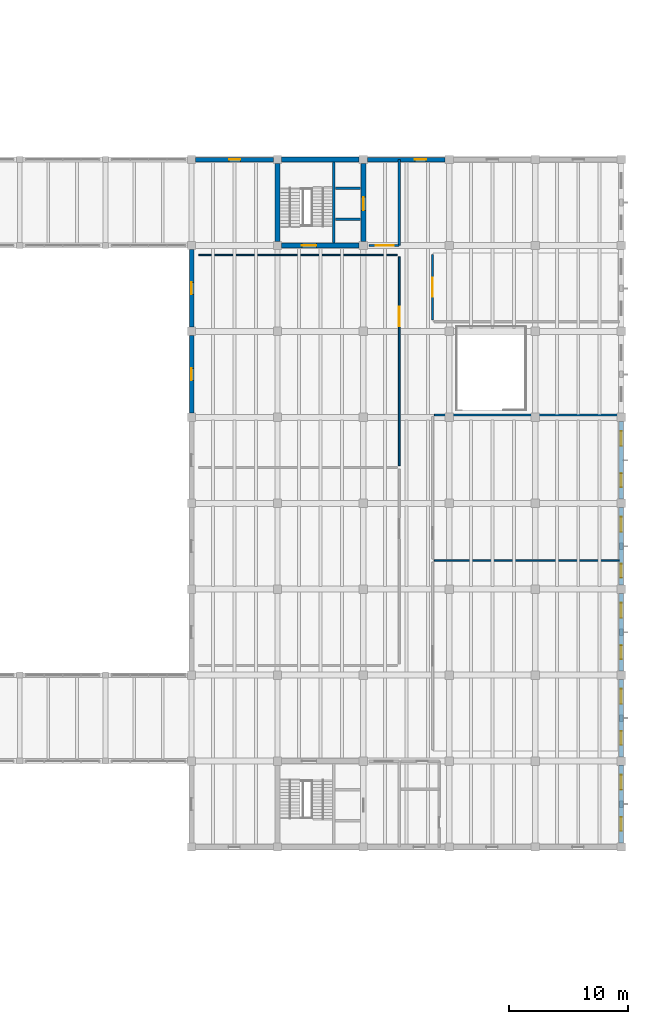
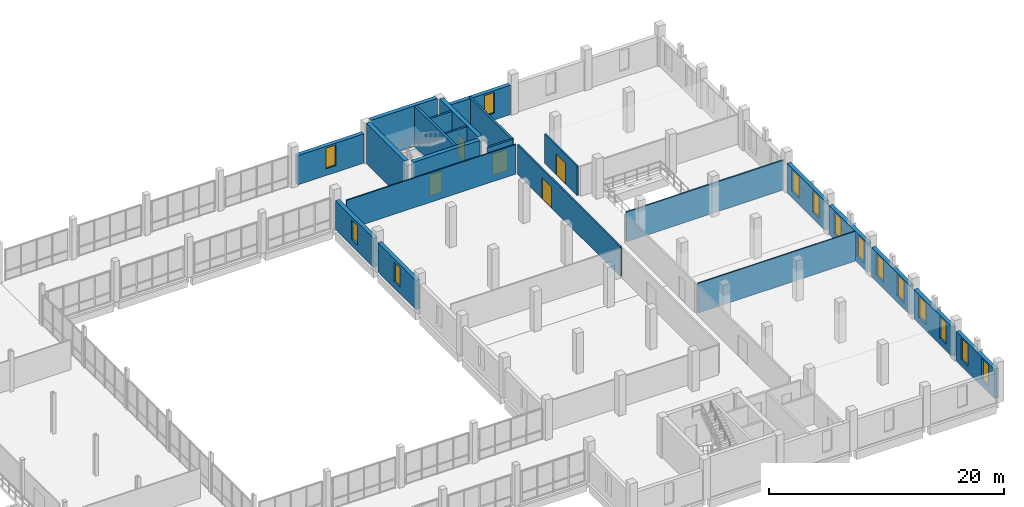
# One storey, part 64 of 72: 23 walls, 14 windows, 5 doors, 19 openings.
"""IFC4 building model written with IfcOpenShell, lengths in metres."""

from ifc_helpers import new_model, si_unit, direction, frame, frame_2d, origin, place, context, subcontext, project, spatial, rectangle, extrude, material, layer, layer_set, type_object, element, fill, save


model = new_model("IFC4")

# Units and contexts
model_context = context("Model", 3, precision=1e-05, world=origin(), true_north=direction((0.0, 1.0)))
body_context = subcontext(model_context, "Body", "Model", "MODEL_VIEW")
ifc_project = project(units=[si_unit("LENGTHUNIT", "METRE"), si_unit("AREAUNIT", "SQUARE_METRE"), si_unit("VOLUMEUNIT", "CUBIC_METRE"), si_unit("PLANEANGLEUNIT", "RADIAN"), si_unit("MASSUNIT", "GRAM", prefix="KILO")], contexts=[model_context])

# Site, building, storey
site_placement = place(None, origin())
site = spatial("IfcSite", under=ifc_project, at=site_placement, CompositionType="ELEMENT")
building_placement = place(site_placement, origin())
building = spatial("IfcBuilding", under=site, at=building_placement, Name="Qiaolan Assembly House", CompositionType="ELEMENT")
storey_placement = place(building_placement, frame((0.0, 0.0, 10.199951171875)))
storey = spatial("IfcBuildingStorey", under=building, at=storey_placement, Name="L02", CompositionType="ELEMENT", Elevation=10.199951171875)

# Wall, opening, door
ifc_material_1 = material(Name="Concrete C45/55", Category="concrete")
ifc_layer_1 = layer(ifc_material_1, 0.39990234375)
ifc_layer_set_1 = layer_set([ifc_layer_1], Name="Concrete C45/55")
wall_type_1 = type_object("IfcWallType", Name="WAL-CORE-400", PredefinedType="SHEAR", material=ifc_layer_set_1)
wall_1_placement = place(storey_placement, frame((144.35009765625, 79.199951171875, 0.0), z_axis=(0.0, 0.0, 1.0), x_axis=(1.0, 0.0, 0.0)))
wall_1 = element("IfcWall", 1, at=wall_1_placement, inside=storey, type_object=wall_type_1, Name="CW-400 shear core wall CORE-F S L02", PredefinedType="SHEAR", context=body_context, shape_type="SweptSolid", body=[
    extrude(rectangle(XDim=6.5, YDim=0.39990234375, at=frame_2d((3.25, 0.0))), origin(), (0.0, 0.0, 1.0), 4.199951171875),
])
opening_1_placement = place(wall_1_placement, frame((1.699951171875, 0.0, 0.0)))
opening_1 = element("IfcOpeningElement", 2, at=opening_1_placement, cuts=wall_1, Name="Opening FD-131", PredefinedType="OPENING", context=body_context, shape_type="SweptSolid", body=[
    extrude(rectangle(XDim=1.199951171875, YDim=2.199951171875, at=frame_2d((0.60009765625, 1.10009765625))), frame((0.0, 0.2099609375, 0.0), z_axis=(0.0, -1.0, 0.0), x_axis=(1.0, 0.0, 0.0)), (0.0, 0.0, 1.0), 0.419921875),
])
ifc_material_2 = material(Name="Steel Q355B", Category="steel")
door_type_1 = type_object("IfcDoorType", Name="DOR-FIRE-FD90-1200", OperationType="NOTDEFINED", PredefinedType="DOOR", material=ifc_material_2)
door_1_placement = place(opening_1_placement, frame((1.199951171875, 0.0, 0.0), z_axis=(0.0, 0.0, 1.0), x_axis=(-1.0, 0.0, 0.0)))
door_1 = element("IfcDoor", 3, at=door_1_placement, inside=storey, type_object=door_type_1, Name="Stairwell fire door FD-131 (CORE-F L02)", OperationType="SINGLE_SWING_LEFT", OverallHeight=2.199951171875, OverallWidth=1.199951171875, PredefinedType="DOOR", context=body_context, shape_type="SweptSolid", body=[
    extrude(rectangle(XDim=1.199951171875, YDim=2.199951171875, at=frame_2d((0.60009765625, 1.10009765625))), frame((0.0, 0.02490234375, 0.0), z_axis=(0.0, -1.0, 0.0), x_axis=(1.0, 0.0, 0.0)), (0.0, 0.0, 1.0), 0.050048828125),
])
fill(opening_1, door_1)

wall_2_placement = place(storey_placement, frame((151.199951171875, 79.550048828125, 0.0), z_axis=(0.0, 0.0, 1.0), x_axis=(0.0, 1.0, 0.0)))
wall_2 = element("IfcWall", 4, at=wall_2_placement, inside=storey, type_object=wall_type_1, Name="CW-400 shear core wall CORE-F E L02", PredefinedType="SHEAR", context=body_context, shape_type="SweptSolid", body=[
    extrude(rectangle(XDim=6.5, YDim=0.39990234375, at=frame_2d((3.25, 0.0))), origin(), (0.0, 0.0, 1.0), 4.199951171875),
])
opening_2_placement = place(wall_2_placement, frame((2.60009765625, 0.0, 0.0)))
opening_2 = element("IfcOpeningElement", 5, at=opening_2_placement, cuts=wall_2, Name="Opening LD-072", PredefinedType="OPENING", context=body_context, shape_type="SweptSolid", body=[
    extrude(rectangle(XDim=1.10009765625, YDim=2.199951171875, at=frame_2d((0.550048828125, 1.10009765625))), frame((0.0, 0.2099609375, 0.0), z_axis=(0.0, -1.0, 0.0), x_axis=(1.0, 0.0, 0.0)), (0.0, 0.0, 1.0), 0.419921875),
])
ifc_material_3 = material(Name="Anodised bronze aluminium", Category="aluminium")
door_type_2 = type_object("IfcDoorType", Name="DOR-LIFT-LD1100", OperationType="SLIDING_TO_LEFT", PredefinedType="DOOR", material=ifc_material_3)
door_2_placement = place(opening_2_placement, origin())
door_2 = element("IfcDoor", 6, at=door_2_placement, inside=storey, type_object=door_type_2, Name="Lift landing door LD-072 (LF-10 L02)", OperationType="SLIDING_TO_LEFT", OverallHeight=2.199951171875, OverallWidth=1.10009765625, PredefinedType="DOOR", context=body_context, shape_type="SweptSolid", body=[
    extrude(rectangle(XDim=1.10009765625, YDim=2.199951171875, at=frame_2d((0.550048828125, 1.10009765625))), frame((0.0, 0.02490234375, 0.0), z_axis=(0.0, -1.0, 0.0), x_axis=(1.0, 0.0, 0.0)), (0.0, 0.0, 1.0), 0.050048828125),
])
fill(opening_2, door_2)

# Walls
for number, where, z_axis, x_axis, name in (
    (7, (150.85009765625, 86.39990234375, 0.0), (0.0, 0.0, 1.0), (-1.0, 0.0, 0.0), "CW-400 shear core wall CORE-F N L02"),
    (8, (144.0, 86.050048828125, 0.0), (0.0, 0.0, 1.0), (0.0, -1.0, 0.0), "CW-400 shear core wall CORE-F W L02"),
):
    element("IfcWall", number, at=place(storey_placement, frame(where, z_axis=z_axis, x_axis=x_axis)), inside=storey, type_object=wall_type_1, Name=name, PredefinedType="SHEAR", context=body_context, shape_type="SweptSolid", body=[
        extrude(rectangle(XDim=6.5, YDim=0.39990234375, at=frame_2d((3.25, 0.0))), origin(), (0.0, 0.0, 1.0), 4.199951171875),
    ])

# Wall, openings, windows
ifc_material_4 = material(Name="Honed pale limestone", Category="masonry")
ifc_layer_2 = layer(ifc_material_4, 0.3798828125)
ifc_layer_set_2 = layer_set([ifc_layer_2], Name="Honed pale limestone")
wall_type_2 = type_object("IfcWallType", Name="WAL-EXT-LIB-380", PredefinedType="SOLIDWALL", material=ifc_layer_set_2)
wall_3_placement = place(storey_placement, frame((172.800048828125, 35.652099609375, 0.0), z_axis=(0.0, 0.0, 1.0), x_axis=(0.0, -1.0, 0.0)))
wall_3 = element("IfcWall", 9, at=wall_3_placement, inside=storey, type_object=wall_type_2, Name="Library East avenue wall L02-1", PredefinedType="SOLIDWALL", context=body_context, shape_type="SweptSolid", body=[
    extrude(rectangle(XDim=6.504150390625, YDim=0.3798828125, at=frame_2d((3.251953125, 0.0))), origin(), (0.0, 0.0, 1.0), 3.0400390625),
])
opening_3_placement = place(wall_3_placement, frame((0.802001953125, 0.0, 0.64990234375)))
opening_3 = element("IfcOpeningElement", 10, at=opening_3_placement, cuts=wall_3, Name="Opening WN-456", PredefinedType="OPENING", context=body_context, shape_type="SweptSolid", body=[
    extrude(rectangle(XDim=1.25, YDim=2.239990234375, at=frame_2d((0.625, 1.1201171875))), frame((0.0, 0.199951171875, 0.0), z_axis=(0.0, -1.0, 0.0), x_axis=(1.0, 0.0, 0.0)), (0.0, 0.0, 1.0), 0.39990234375),
])
opening_4_placement = place(wall_3_placement, frame((4.35205078125, 0.0, 0.64990234375)))
opening_4 = element("IfcOpeningElement", 11, at=opening_4_placement, cuts=wall_3, Name="Opening WN-457", PredefinedType="OPENING", context=body_context, shape_type="SweptSolid", body=[
    extrude(rectangle(XDim=1.14990234375, YDim=2.239990234375, at=frame_2d((0.574951171875, 1.1201171875))), frame((0.0, 0.199951171875, 0.0), z_axis=(0.0, -1.0, 0.0), x_axis=(1.0, 0.0, 0.0)), (0.0, 0.0, 1.0), 0.39990234375),
])
ifc_material_5 = material(Name="Low-E double insulating glass", Category="glass")
window_type_1 = type_object("IfcWindowType", Name="WIN-LIB-1250x2500", PartitioningType="DOUBLE_PANEL_VERTICAL", PredefinedType="WINDOW", material=ifc_material_5)
window_1_placement = place(opening_3_placement, origin())
window_1 = element("IfcWindow", 12, at=window_1_placement, inside=storey, type_object=window_type_1, Name="Library reading window WN-456", OverallHeight=2.239990234375, OverallWidth=1.25, PartitioningType="DOUBLE_PANEL_VERTICAL", PredefinedType="WINDOW", context=body_context, shape_type="SweptSolid", body=[
    extrude(rectangle(XDim=1.25, YDim=2.239990234375, at=frame_2d((0.625, 1.1201171875))), frame((0.0, 0.030029296875, 0.0), z_axis=(0.0, -1.0, 0.0), x_axis=(1.0, 0.0, 0.0)), (0.0, 0.0, 1.0), 0.06005859375),
])
fill(opening_3, window_1)
window_type_2 = type_object("IfcWindowType", Name="WIN-LIB-CARREL-1150x2300", PartitioningType="SINGLE_PANEL", PredefinedType="WINDOW", material=ifc_material_5)
window_2_placement = place(opening_4_placement, origin())
window_2 = element("IfcWindow", 13, at=window_2_placement, inside=storey, type_object=window_type_2, Name="Library reading window WN-457", OverallHeight=2.239990234375, OverallWidth=1.14990234375, PartitioningType="SINGLE_PANEL", PredefinedType="WINDOW", context=body_context, shape_type="SweptSolid", body=[
    extrude(rectangle(XDim=1.14990234375, YDim=2.239990234375, at=frame_2d((0.574951171875, 1.1201171875))), frame((0.0, 0.030029296875, 0.0), z_axis=(0.0, -1.0, 0.0), x_axis=(1.0, 0.0, 0.0)), (0.0, 0.0, 1.0), 0.06005859375),
])
fill(opening_4, window_2)

wall_4_placement = place(storey_placement, frame((172.800048828125, 42.85205078125, 0.0), z_axis=(0.0, 0.0, 1.0), x_axis=(0.0, -1.0, 0.0)))
wall_4 = element("IfcWall", 14, at=wall_4_placement, inside=storey, type_object=wall_type_2, Name="Library East avenue wall L02-2", PredefinedType="SOLIDWALL", context=body_context, shape_type="SweptSolid", body=[
    extrude(rectangle(XDim=6.504150390625, YDim=0.3798828125, at=frame_2d((3.251953125, 0.0))), origin(), (0.0, 0.0, 1.0), 3.0400390625),
])
opening_5_placement = place(wall_4_placement, frame((0.802001953125, 0.0, 0.64990234375)))
opening_5 = element("IfcOpeningElement", 15, at=opening_5_placement, cuts=wall_4, Name="Opening WN-459", PredefinedType="OPENING", context=body_context, shape_type="SweptSolid", body=[
    extrude(rectangle(XDim=1.25, YDim=2.239990234375, at=frame_2d((0.625, 1.1201171875))), frame((0.0, 0.199951171875, 0.0), z_axis=(0.0, -1.0, 0.0), x_axis=(1.0, 0.0, 0.0)), (0.0, 0.0, 1.0), 0.39990234375),
])
opening_6_placement = place(wall_4_placement, frame((4.35205078125, 0.0, 0.64990234375)))
opening_6 = element("IfcOpeningElement", 16, at=opening_6_placement, cuts=wall_4, Name="Opening WN-460", PredefinedType="OPENING", context=body_context, shape_type="SweptSolid", body=[
    extrude(rectangle(XDim=1.14990234375, YDim=2.239990234375, at=frame_2d((0.574951171875, 1.1201171875))), frame((0.0, 0.199951171875, 0.0), z_axis=(0.0, -1.0, 0.0), x_axis=(1.0, 0.0, 0.0)), (0.0, 0.0, 1.0), 0.39990234375),
])
window_3_placement = place(opening_5_placement, origin())
window_3 = element("IfcWindow", 17, at=window_3_placement, inside=storey, type_object=window_type_1, Name="Library reading window WN-459", OverallHeight=2.239990234375, OverallWidth=1.25, PartitioningType="DOUBLE_PANEL_VERTICAL", PredefinedType="WINDOW", context=body_context, shape_type="SweptSolid", body=[
    extrude(rectangle(XDim=1.25, YDim=2.239990234375, at=frame_2d((0.625, 1.1201171875))), frame((0.0, 0.030029296875, 0.0), z_axis=(0.0, -1.0, 0.0), x_axis=(1.0, 0.0, 0.0)), (0.0, 0.0, 1.0), 0.06005859375),
])
fill(opening_5, window_3)
window_4_placement = place(opening_6_placement, origin())
window_4 = element("IfcWindow", 18, at=window_4_placement, inside=storey, type_object=window_type_2, Name="Library reading window WN-460", OverallHeight=2.239990234375, OverallWidth=1.14990234375, PartitioningType="SINGLE_PANEL", PredefinedType="WINDOW", context=body_context, shape_type="SweptSolid", body=[
    extrude(rectangle(XDim=1.14990234375, YDim=2.239990234375, at=frame_2d((0.574951171875, 1.1201171875))), frame((0.0, 0.030029296875, 0.0), z_axis=(0.0, -1.0, 0.0), x_axis=(1.0, 0.0, 0.0)), (0.0, 0.0, 1.0), 0.06005859375),
])
fill(opening_6, window_4)

wall_5_placement = place(storey_placement, frame((172.800048828125, 50.052001953125, 0.0), z_axis=(0.0, 0.0, 1.0), x_axis=(0.0, -1.0, 0.0)))
wall_5 = element("IfcWall", 19, at=wall_5_placement, inside=storey, type_object=wall_type_2, Name="Library East avenue wall L02-3", PredefinedType="SOLIDWALL", context=body_context, shape_type="SweptSolid", body=[
    extrude(rectangle(XDim=6.50390625, YDim=0.3798828125, at=frame_2d((3.251953125, 0.0))), origin(), (0.0, 0.0, 1.0), 3.0400390625),
])
opening_7_placement = place(wall_5_placement, frame((0.802001953125, 0.0, 0.64990234375)))
opening_7 = element("IfcOpeningElement", 20, at=opening_7_placement, cuts=wall_5, Name="Opening WN-461", PredefinedType="OPENING", context=body_context, shape_type="SweptSolid", body=[
    extrude(rectangle(XDim=1.25, YDim=2.239990234375, at=frame_2d((0.625, 1.1201171875))), frame((0.0, 0.199951171875, 0.0), z_axis=(0.0, -1.0, 0.0), x_axis=(1.0, 0.0, 0.0)), (0.0, 0.0, 1.0), 0.39990234375),
])
opening_8_placement = place(wall_5_placement, frame((4.35205078125, 0.0, 0.64990234375)))
opening_8 = element("IfcOpeningElement", 21, at=opening_8_placement, cuts=wall_5, Name="Opening WN-462", PredefinedType="OPENING", context=body_context, shape_type="SweptSolid", body=[
    extrude(rectangle(XDim=1.14990234375, YDim=2.239990234375, at=frame_2d((0.574951171875, 1.1201171875))), frame((0.0, 0.199951171875, 0.0), z_axis=(0.0, -1.0, 0.0), x_axis=(1.0, 0.0, 0.0)), (0.0, 0.0, 1.0), 0.39990234375),
])
window_5_placement = place(opening_7_placement, origin())
window_5 = element("IfcWindow", 22, at=window_5_placement, inside=storey, type_object=window_type_1, Name="Library reading window WN-461", OverallHeight=2.239990234375, OverallWidth=1.25, PartitioningType="DOUBLE_PANEL_VERTICAL", PredefinedType="WINDOW", context=body_context, shape_type="SweptSolid", body=[
    extrude(rectangle(XDim=1.25, YDim=2.239990234375, at=frame_2d((0.625, 1.1201171875))), frame((0.0, 0.030029296875, 0.0), z_axis=(0.0, -1.0, 0.0), x_axis=(1.0, 0.0, 0.0)), (0.0, 0.0, 1.0), 0.06005859375),
])
fill(opening_7, window_5)
window_6_placement = place(opening_8_placement, origin())
window_6 = element("IfcWindow", 23, at=window_6_placement, inside=storey, type_object=window_type_2, Name="Library reading window WN-462", OverallHeight=2.239990234375, OverallWidth=1.14990234375, PartitioningType="SINGLE_PANEL", PredefinedType="WINDOW", context=body_context, shape_type="SweptSolid", body=[
    extrude(rectangle(XDim=1.14990234375, YDim=2.239990234375, at=frame_2d((0.574951171875, 1.1201171875))), frame((0.0, 0.030029296875, 0.0), z_axis=(0.0, -1.0, 0.0), x_axis=(1.0, 0.0, 0.0)), (0.0, 0.0, 1.0), 0.06005859375),
])
fill(opening_8, window_6)

wall_6_placement = place(storey_placement, frame((172.800048828125, 57.251953125, 0.0), z_axis=(0.0, 0.0, 1.0), x_axis=(0.0, -1.0, 0.0)))
wall_6 = element("IfcWall", 24, at=wall_6_placement, inside=storey, type_object=wall_type_2, Name="Library East avenue wall L02-4", PredefinedType="SOLIDWALL", context=body_context, shape_type="SweptSolid", body=[
    extrude(rectangle(XDim=6.50390625, YDim=0.3798828125, at=frame_2d((3.251953125, 0.0))), origin(), (0.0, 0.0, 1.0), 3.0400390625),
])
opening_9_placement = place(wall_6_placement, frame((0.802001953125, 0.0, 0.64990234375)))
opening_9 = element("IfcOpeningElement", 25, at=opening_9_placement, cuts=wall_6, Name="Opening WN-464", PredefinedType="OPENING", context=body_context, shape_type="SweptSolid", body=[
    extrude(rectangle(XDim=1.25, YDim=2.239990234375, at=frame_2d((0.625, 1.1201171875))), frame((0.0, 0.199951171875, 0.0), z_axis=(0.0, -1.0, 0.0), x_axis=(1.0, 0.0, 0.0)), (0.0, 0.0, 1.0), 0.39990234375),
])
opening_10_placement = place(wall_6_placement, frame((4.738037109375, 0.0, 0.64990234375)))
opening_10 = element("IfcOpeningElement", 26, at=opening_10_placement, cuts=wall_6, Name="Opening WN-465", PredefinedType="OPENING", context=body_context, shape_type="SweptSolid", body=[
    extrude(rectangle(XDim=1.14990234375, YDim=2.239990234375, at=frame_2d((0.574951171875, 1.1201171875))), frame((0.0, 0.199951171875, 0.0), z_axis=(0.0, -1.0, 0.0), x_axis=(1.0, 0.0, 0.0)), (0.0, 0.0, 1.0), 0.39990234375),
])
window_7_placement = place(opening_9_placement, origin())
window_7 = element("IfcWindow", 27, at=window_7_placement, inside=storey, type_object=window_type_1, Name="Library reading window WN-464", OverallHeight=2.239990234375, OverallWidth=1.25, PartitioningType="DOUBLE_PANEL_VERTICAL", PredefinedType="WINDOW", context=body_context, shape_type="SweptSolid", body=[
    extrude(rectangle(XDim=1.25, YDim=2.239990234375, at=frame_2d((0.625, 1.1201171875))), frame((0.0, 0.030029296875, 0.0), z_axis=(0.0, -1.0, 0.0), x_axis=(1.0, 0.0, 0.0)), (0.0, 0.0, 1.0), 0.06005859375),
])
fill(opening_9, window_7)
window_8_placement = place(opening_10_placement, origin())
window_8 = element("IfcWindow", 28, at=window_8_placement, inside=storey, type_object=window_type_2, Name="Library reading window WN-465", OverallHeight=2.239990234375, OverallWidth=1.14990234375, PartitioningType="SINGLE_PANEL", PredefinedType="WINDOW", context=body_context, shape_type="SweptSolid", body=[
    extrude(rectangle(XDim=1.14990234375, YDim=2.239990234375, at=frame_2d((0.574951171875, 1.1201171875))), frame((0.0, 0.030029296875, 0.0), z_axis=(0.0, -1.0, 0.0), x_axis=(1.0, 0.0, 0.0)), (0.0, 0.0, 1.0), 0.06005859375),
])
fill(opening_10, window_8)

wall_7_placement = place(storey_placement, frame((172.800048828125, 64.451904296875, 0.0), z_axis=(0.0, 0.0, 1.0), x_axis=(0.0, -1.0, 0.0)))
wall_7 = element("IfcWall", 29, at=wall_7_placement, inside=storey, type_object=wall_type_2, Name="Library East avenue wall L02-5", PredefinedType="SOLIDWALL", context=body_context, shape_type="SweptSolid", body=[
    extrude(rectangle(XDim=6.50390625, YDim=0.3798828125, at=frame_2d((3.251953125, 0.0))), origin(), (0.0, 0.0, 1.0), 3.0400390625),
])
opening_11_placement = place(wall_7_placement, frame((0.802001953125, 0.0, 0.64990234375)))
opening_11 = element("IfcOpeningElement", 30, at=opening_11_placement, cuts=wall_7, Name="Opening WN-467", PredefinedType="OPENING", context=body_context, shape_type="SweptSolid", body=[
    extrude(rectangle(XDim=1.25, YDim=2.239990234375, at=frame_2d((0.625, 1.1201171875))), frame((0.0, 0.199951171875, 0.0), z_axis=(0.0, -1.0, 0.0), x_axis=(1.0, 0.0, 0.0)), (0.0, 0.0, 1.0), 0.39990234375),
])
opening_12_placement = place(wall_7_placement, frame((4.35205078125, 0.0, 0.64990234375)))
opening_12 = element("IfcOpeningElement", 31, at=opening_12_placement, cuts=wall_7, Name="Opening WN-468", PredefinedType="OPENING", context=body_context, shape_type="SweptSolid", body=[
    extrude(rectangle(XDim=1.14990234375, YDim=2.239990234375, at=frame_2d((0.574951171875, 1.1201171875))), frame((0.0, 0.199951171875, 0.0), z_axis=(0.0, -1.0, 0.0), x_axis=(1.0, 0.0, 0.0)), (0.0, 0.0, 1.0), 0.39990234375),
])
window_9_placement = place(opening_11_placement, origin())
window_9 = element("IfcWindow", 32, at=window_9_placement, inside=storey, type_object=window_type_1, Name="Library reading window WN-467", OverallHeight=2.239990234375, OverallWidth=1.25, PartitioningType="DOUBLE_PANEL_VERTICAL", PredefinedType="WINDOW", context=body_context, shape_type="SweptSolid", body=[
    extrude(rectangle(XDim=1.25, YDim=2.239990234375, at=frame_2d((0.625, 1.1201171875))), frame((0.0, 0.030029296875, 0.0), z_axis=(0.0, -1.0, 0.0), x_axis=(1.0, 0.0, 0.0)), (0.0, 0.0, 1.0), 0.06005859375),
])
fill(opening_11, window_9)
window_10_placement = place(opening_12_placement, origin())
window_10 = element("IfcWindow", 33, at=window_10_placement, inside=storey, type_object=window_type_2, Name="Library reading window WN-468", OverallHeight=2.239990234375, OverallWidth=1.14990234375, PartitioningType="SINGLE_PANEL", PredefinedType="WINDOW", context=body_context, shape_type="SweptSolid", body=[
    extrude(rectangle(XDim=1.14990234375, YDim=2.239990234375, at=frame_2d((0.574951171875, 1.1201171875))), frame((0.0, 0.030029296875, 0.0), z_axis=(0.0, -1.0, 0.0), x_axis=(1.0, 0.0, 0.0)), (0.0, 0.0, 1.0), 0.06005859375),
])
fill(opening_12, window_10)

# Wall, opening, window
wall_8_placement = place(storey_placement, frame((136.800048828125, 65.14794921875, 0.0), z_axis=(0.0, 0.0, 1.0), x_axis=(0.0, 1.0, 0.0)))
wall_8 = element("IfcWall", 34, at=wall_8_placement, inside=storey, type_object=wall_type_2, Name="Library West court wall L02-6", PredefinedType="SOLIDWALL", context=body_context, shape_type="SweptSolid", body=[
    extrude(rectangle(XDim=6.504150390625, YDim=0.3798828125, at=frame_2d((3.251953125, 0.0))), origin(), (0.0, 0.0, 1.0), 3.0400390625),
])
opening_13_placement = place(wall_8_placement, frame((2.751953125, 0.0, 0.699951171875)))
opening_13 = element("IfcOpeningElement", 35, at=opening_13_placement, cuts=wall_8, Name="Opening WN-472", PredefinedType="OPENING", context=body_context, shape_type="SweptSolid", body=[
    extrude(rectangle(XDim=1.0, YDim=2.0, at=frame_2d((0.5, 1.0))), frame((0.0, 0.199951171875, 0.0), z_axis=(0.0, -1.0, 0.0), x_axis=(1.0, 0.0, 0.0)), (0.0, 0.0, 1.0), 0.39990234375),
])
window_type_3 = type_object("IfcWindowType", Name="WIN-LIB-ARCH-1000x2000", PartitioningType="SINGLE_PANEL", PredefinedType="WINDOW", material=ifc_material_5)
window_11_placement = place(opening_13_placement, origin())
window_11 = element("IfcWindow", 36, at=window_11_placement, inside=storey, type_object=window_type_3, Name="Library courtyard window WN-472", OverallHeight=2.0, OverallWidth=1.0, PartitioningType="SINGLE_PANEL", PredefinedType="WINDOW", context=body_context, shape_type="SweptSolid", body=[
    extrude(rectangle(XDim=1.0, YDim=2.0, at=frame_2d((0.5, 1.0))), frame((0.0, 0.030029296875, 0.0), z_axis=(0.0, -1.0, 0.0), x_axis=(1.0, 0.0, 0.0)), (0.0, 0.0, 1.0), 0.06005859375),
])
fill(opening_13, window_11)

wall_9_placement = place(storey_placement, frame((136.800048828125, 72.347900390625, 0.0), z_axis=(0.0, 0.0, 1.0), x_axis=(0.0, 1.0, 0.0)))
wall_9 = element("IfcWall", 37, at=wall_9_placement, inside=storey, type_object=wall_type_2, Name="Library West court wall L02-7", PredefinedType="SOLIDWALL", context=body_context, shape_type="SweptSolid", body=[
    extrude(rectangle(XDim=6.504150390625, YDim=0.3798828125, at=frame_2d((3.251953125, 0.0))), origin(), (0.0, 0.0, 1.0), 3.0400390625),
])
opening_14_placement = place(wall_9_placement, frame((2.751953125, 0.0, 0.699951171875)))
opening_14 = element("IfcOpeningElement", 38, at=opening_14_placement, cuts=wall_9, Name="Opening WN-475", PredefinedType="OPENING", context=body_context, shape_type="SweptSolid", body=[
    extrude(rectangle(XDim=1.0, YDim=2.0, at=frame_2d((0.5, 1.0))), frame((0.0, 0.199951171875, 0.0), z_axis=(0.0, -1.0, 0.0), x_axis=(1.0, 0.0, 0.0)), (0.0, 0.0, 1.0), 0.39990234375),
])
window_12_placement = place(opening_14_placement, origin())
window_12 = element("IfcWindow", 39, at=window_12_placement, inside=storey, type_object=window_type_3, Name="Library courtyard window WN-475", OverallHeight=2.0, OverallWidth=1.0, PartitioningType="SINGLE_PANEL", PredefinedType="WINDOW", context=body_context, shape_type="SweptSolid", body=[
    extrude(rectangle(XDim=1.0, YDim=2.0, at=frame_2d((0.5, 1.0))), frame((0.0, 0.030029296875, 0.0), z_axis=(0.0, -1.0, 0.0), x_axis=(1.0, 0.0, 0.0)), (0.0, 0.0, 1.0), 0.06005859375),
])
fill(opening_14, window_12)

wall_10_placement = place(storey_placement, frame((143.652099609375, 86.39990234375, 0.0), z_axis=(0.0, 0.0, 1.0), x_axis=(-1.0, 0.0, 0.0)))
wall_10 = element("IfcWall", 40, at=wall_10_placement, inside=storey, type_object=wall_type_2, Name="Library North wall L02-1", PredefinedType="SOLIDWALL", context=body_context, shape_type="SweptSolid", body=[
    extrude(rectangle(XDim=6.504150390625, YDim=0.3798828125, at=frame_2d((3.251953125, 0.0))), origin(), (0.0, 0.0, 1.0), 3.0400390625),
])
opening_15_placement = place(wall_10_placement, frame((2.751953125, 0.0, 0.699951171875)))
opening_15 = element("IfcOpeningElement", 41, at=opening_15_placement, cuts=wall_10, Name="Opening WN-479", PredefinedType="OPENING", context=body_context, shape_type="SweptSolid", body=[
    extrude(rectangle(XDim=0.949951171875, YDim=2.14990234375, at=frame_2d((0.47509765625, 1.074951171875))), frame((0.0, 0.199951171875, 0.0), z_axis=(0.0, -1.0, 0.0), x_axis=(1.0, 0.0, 0.0)), (0.0, 0.0, 1.0), 0.39990234375),
])
window_type_4 = type_object("IfcWindowType", Name="WIN-PUNCH-950x2150", PartitioningType="SINGLE_PANEL", PredefinedType="WINDOW", material=ifc_material_5)
window_13_placement = place(opening_15_placement, origin())
window_13 = element("IfcWindow", 42, at=window_13_placement, inside=storey, type_object=window_type_4, Name="Library North window WN-479", OverallHeight=2.14990234375, OverallWidth=0.949951171875, PartitioningType="SINGLE_PANEL", PredefinedType="WINDOW", context=body_context, shape_type="SweptSolid", body=[
    extrude(rectangle(XDim=0.949951171875, YDim=2.14990234375, at=frame_2d((0.47509765625, 1.074951171875))), frame((0.0, 0.030029296875, 0.0), z_axis=(0.0, -1.0, 0.0), x_axis=(1.0, 0.0, 0.0)), (0.0, 0.0, 1.0), 0.06005859375),
])
fill(opening_15, window_13)

wall_11_placement = place(storey_placement, frame((158.052001953125, 86.39990234375, 0.0), z_axis=(0.0, 0.0, 1.0), x_axis=(-1.0, 0.0, 0.0)))
wall_11 = element("IfcWall", 43, at=wall_11_placement, inside=storey, type_object=wall_type_2, Name="Library North wall L02-3", PredefinedType="SOLIDWALL", context=body_context, shape_type="SweptSolid", body=[
    extrude(rectangle(XDim=6.50390625, YDim=0.3798828125, at=frame_2d((3.251953125, 0.0))), origin(), (0.0, 0.0, 1.0), 3.0400390625),
])
opening_16_placement = place(wall_11_placement, frame((1.595947265625, 0.0, 0.699951171875)))
opening_16 = element("IfcOpeningElement", 44, at=opening_16_placement, cuts=wall_11, Name="Opening WN-481", PredefinedType="OPENING", context=body_context, shape_type="SweptSolid", body=[
    extrude(rectangle(XDim=0.949951171875, YDim=2.14990234375, at=frame_2d((0.47509765625, 1.074951171875))), frame((0.0, 0.199951171875, 0.0), z_axis=(0.0, -1.0, 0.0), x_axis=(1.0, 0.0, 0.0)), (0.0, 0.0, 1.0), 0.39990234375),
])
window_14_placement = place(opening_16_placement, origin())
window_14 = element("IfcWindow", 45, at=window_14_placement, inside=storey, type_object=window_type_4, Name="Library North window WN-481", OverallHeight=2.14990234375, OverallWidth=0.949951171875, PartitioningType="SINGLE_PANEL", PredefinedType="WINDOW", context=body_context, shape_type="SweptSolid", body=[
    extrude(rectangle(XDim=0.949951171875, YDim=2.14990234375, at=frame_2d((0.47509765625, 1.074951171875))), frame((0.0, 0.030029296875, 0.0), z_axis=(0.0, -1.0, 0.0), x_axis=(1.0, 0.0, 0.0)), (0.0, 0.0, 1.0), 0.06005859375),
])
fill(opening_16, window_14)

# Wall
ifc_material_6 = material(Name="Concrete C35/45", Category="concrete")
ifc_layer_3 = layer(ifc_material_6, 0.199951171875)
ifc_layer_set_3 = layer_set([ifc_layer_3], Name="Concrete C35/45")
wall_type_3 = type_object("IfcWallType", Name="WAL-LOBBY-200", PredefinedType="PARTITIONING", material=ifc_layer_set_3)
wall_12_placement = place(storey_placement, frame((154.199951171875, 79.199951171875, 0.0), z_axis=(0.0, 0.0, 1.0), x_axis=(0.0, 1.0, 0.0)))
element("IfcWall", 46, at=wall_12_placement, inside=storey, type_object=wall_type_3, Name="Firefighting lift lobby east wall CORE-F L02", PredefinedType="PARTITIONING", context=body_context, shape_type="SweptSolid", body=[
    extrude(rectangle(XDim=7.199951171875, YDim=0.199951171875, at=frame_2d((3.60009765625, 0.0))), origin(), (0.0, 0.0, 1.0), 3.080078125),
])

# Wall, opening, door
wall_13_placement = place(storey_placement, frame((151.679931640625, 79.199951171875, 0.0), z_axis=(0.0, 0.0, 1.0), x_axis=(1.0, 0.0, 0.0)))
wall_13 = element("IfcWall", 47, at=wall_13_placement, inside=storey, type_object=wall_type_3, Name="Firefighting lift lobby south wall CORE-F L02", PredefinedType="PARTITIONING", context=body_context, shape_type="SweptSolid", body=[
    extrude(rectangle(XDim=2.52001953125, YDim=0.199951171875, at=frame_2d((1.260009765625, 0.0))), origin(), (0.0, 0.0, 1.0), 3.080078125),
])
opening_17_placement = place(wall_13_placement, frame((0.550048828125, 0.0, 0.0)))
opening_17 = element("IfcOpeningElement", 48, at=opening_17_placement, cuts=wall_13, Name="Opening FD-132", PredefinedType="OPENING", context=body_context, shape_type="SweptSolid", body=[
    extrude(rectangle(XDim=1.5, YDim=2.199951171875, at=frame_2d((0.75, 1.10009765625))), frame((0.0, 0.10986328125, 0.0), z_axis=(0.0, -1.0, 0.0), x_axis=(1.0, 0.0, 0.0)), (0.0, 0.0, 1.0), 0.219970703125),
])
ifc_material_7 = material(Name="Acoustic oak panelling")
door_type_3 = type_object("IfcDoorType", Name="DOR-LOBBY-FD60-1500", OperationType="DOUBLE_DOOR_SINGLE_SWING", PredefinedType="DOOR", material=ifc_material_7)
door_3_placement = place(opening_17_placement, frame((1.5, 0.0, 0.0), z_axis=(0.0, 0.0, 1.0), x_axis=(-1.0, 0.0, 0.0)))
door_3 = element("IfcDoor", 49, at=door_3_placement, inside=storey, type_object=door_type_3, Name="Lobby corridor fire door FD-132", OperationType="DOUBLE_DOOR_SINGLE_SWING", OverallHeight=2.199951171875, OverallWidth=1.5, PredefinedType="DOOR", context=body_context, shape_type="SweptSolid", body=[
    extrude(rectangle(XDim=1.5, YDim=2.199951171875, at=frame_2d((0.75, 1.10009765625))), frame((0.0, 0.02490234375, 0.0), z_axis=(0.0, -1.0, 0.0), x_axis=(1.0, 0.0, 0.0)), (0.0, 0.0, 1.0), 0.050048828125),
])
fill(opening_17, door_3)

# Walls
ifc_material_8 = material(Name="Gypsum plasterboard partition")
ifc_layer_4 = layer(ifc_material_8, 0.1201171875)
ifc_layer_set_4 = layer_set([ifc_layer_4], Name="Gypsum plasterboard partition")
wall_type_4 = type_object("IfcWallType", Name="WAL-PART-120", PredefinedType="PARTITIONING", material=ifc_layer_set_4)
wall_14_placement = place(storey_placement, frame((137.39990234375, 78.39990234375, 0.0), z_axis=(0.0, 0.0, 1.0), x_axis=(1.0, 0.0, 0.0)))
element("IfcWall", 50, at=wall_14_placement, inside=storey, type_object=wall_type_4, Name="Municipal Legal Reference Stacks L02 end wall", PredefinedType="PARTITIONING", context=body_context, shape_type="SweptSolid", body=[
    extrude(rectangle(XDim=16.650146484375, YDim=0.1201171875, at=frame_2d((8.3251953125, 0.0))), origin(), (0.0, 0.0, 1.0), 3.080078125),
])
wall_15_placement = place(storey_placement, frame((157.14990234375, 52.800048828125, 0.0), z_axis=(0.0, 0.0, 1.0), x_axis=(1.0, 0.0, 0.0)))
element("IfcWall", 51, at=wall_15_placement, inside=storey, type_object=wall_type_4, Name="Digital Microfilm & Audio-Visual Archive Studio demising wall", PredefinedType="PARTITIONING", context=body_context, shape_type="SweptSolid", body=[
    extrude(rectangle(XDim=15.47021484375, YDim=0.1201171875, at=frame_2d((7.735107421875, 0.0))), origin(), (0.0, 0.0, 1.0), 3.080078125),
])

# Wall, opening, door
ifc_layer_5 = layer(ifc_material_8, 0.14990234375)
ifc_layer_set_5 = layer_set([ifc_layer_5], Name="Gypsum plasterboard partition")
wall_type_5 = type_object("IfcWallType", Name="WAL-PART-150", PredefinedType="PARTITIONING", material=ifc_layer_set_5)
wall_16_placement = place(storey_placement, frame((154.199951171875, 78.25, 0.0), z_axis=(0.0, 0.0, 1.0), x_axis=(0.0, -1.0, 0.0)))
wall_16 = element("IfcWall", 52, at=wall_16_placement, inside=storey, type_object=wall_type_5, Name="Municipal Legal Reference Stacks L02 corridor wall", PredefinedType="PARTITIONING", context=body_context, shape_type="SweptSolid", body=[
    extrude(rectangle(XDim=17.5, YDim=0.14990234375, at=frame_2d((8.75, 0.0))), origin(), (0.0, 0.0, 1.0), 3.080078125),
])
opening_18_placement = place(wall_16_placement, frame((4.199951171875, 0.0, 0.0)))
opening_18 = element("IfcOpeningElement", 53, at=opening_18_placement, cuts=wall_16, Name="Opening MD-285", PredefinedType="OPENING", context=body_context, shape_type="SweptSolid", body=[
    extrude(rectangle(XDim=1.60009765625, YDim=2.199951171875, at=frame_2d((0.800048828125, 1.10009765625))), frame((0.0, 0.0849609375, 0.0), z_axis=(0.0, -1.0, 0.0), x_axis=(1.0, 0.0, 0.0)), (0.0, 0.0, 1.0), 0.169921875),
])
door_type_4 = type_object("IfcDoorType", Name="DOR-COMM-DBL-1600", OperationType="DOUBLE_DOOR_SINGLE_SWING", PredefinedType="DOOR", material=ifc_material_7)
door_4_placement = place(opening_18_placement, origin())
door_4 = element("IfcDoor", 54, at=door_4_placement, inside=storey, type_object=door_type_4, Name="Municipal Legal Reference Stacks L02 door MD-285", OperationType="DOUBLE_DOOR_SINGLE_SWING", OverallHeight=2.199951171875, OverallWidth=1.60009765625, PredefinedType="DOOR", context=body_context, shape_type="SweptSolid", body=[
    extrude(rectangle(XDim=1.60009765625, YDim=2.199951171875, at=frame_2d((0.800048828125, 1.10009765625))), frame((0.0, 0.02490234375, 0.0), z_axis=(0.0, -1.0, 0.0), x_axis=(1.0, 0.0, 0.0)), (0.0, 0.0, 1.0), 0.050048828125),
])
fill(opening_18, door_4)

wall_17_placement = place(storey_placement, frame((157.0, 72.949951171875, 0.0), z_axis=(0.0, 0.0, 1.0), x_axis=(0.0, 1.0, 0.0)))
wall_17 = element("IfcWall", 55, at=wall_17_placement, inside=storey, type_object=wall_type_5, Name="Visiting Scholars & Fellows Study Room corridor wall", PredefinedType="PARTITIONING", context=body_context, shape_type="SweptSolid", body=[
    extrude(rectangle(XDim=5.5, YDim=0.14990234375, at=frame_2d((2.75, 0.0))), origin(), (0.0, 0.0, 1.0), 3.080078125),
])
opening_19_placement = place(wall_17_placement, frame((1.949951171875, 0.0, 0.0)))
opening_19 = element("IfcOpeningElement", 56, at=opening_19_placement, cuts=wall_17, Name="Opening MD-288", PredefinedType="OPENING", context=body_context, shape_type="SweptSolid", body=[
    extrude(rectangle(XDim=1.60009765625, YDim=2.199951171875, at=frame_2d((0.800048828125, 1.10009765625))), frame((0.0, 0.0849609375, 0.0), z_axis=(0.0, -1.0, 0.0), x_axis=(1.0, 0.0, 0.0)), (0.0, 0.0, 1.0), 0.169921875),
])
door_5_placement = place(opening_19_placement, origin())
door_5 = element("IfcDoor", 57, at=door_5_placement, inside=storey, type_object=door_type_4, Name="Visiting Scholars & Fellows Study Room door MD-288", OperationType="DOUBLE_DOOR_SINGLE_SWING", OverallHeight=2.199951171875, OverallWidth=1.60009765625, PredefinedType="DOOR", context=body_context, shape_type="SweptSolid", body=[
    extrude(rectangle(XDim=1.60009765625, YDim=2.199951171875, at=frame_2d((0.800048828125, 1.10009765625))), frame((0.0, 0.02490234375, 0.0), z_axis=(0.0, -1.0, 0.0), x_axis=(1.0, 0.0, 0.0)), (0.0, 0.0, 1.0), 0.050048828125),
])
fill(opening_19, door_5)

# Walls
wall_18_placement = place(storey_placement, frame((157.14990234375, 65.0, 0.0), z_axis=(0.0, 0.0, 1.0), x_axis=(1.0, 0.0, 0.0)))
element("IfcWall", 58, at=wall_18_placement, inside=storey, type_object=wall_type_5, Name="Reading well south wall", PredefinedType="PARTITIONING", context=body_context, shape_type="SweptSolid", body=[
    extrude(rectangle(XDim=15.47021484375, YDim=0.14990234375, at=frame_2d((7.735107421875, 0.0))), origin(), (0.0, 0.0, 1.0), 3.080078125),
])
ifc_layer_6 = layer(ifc_material_6, 0.18505859375)
ifc_layer_set_6 = layer_set([ifc_layer_6], Name="Concrete C35/45")
wall_type_6 = type_object("IfcWallType", Name="WAL-SHAFT-200", PredefinedType="PARTITIONING", material=ifc_layer_set_6)
for number, where, z_axis, x_axis, name in (
    (59, (148.85009765625, 81.39990234375, 0.0), (0.0, 0.0, 1.0), (1.0, 0.0, 0.0), "SW-200 lift shaft wall LF-10 L02 DIVS"),
    (60, (148.85009765625, 84.0, 0.0), (0.0, 0.0, 1.0), (1.0, 0.0, 0.0), "SW-200 lift shaft wall LF-10 L02 DIVN"),
):
    element("IfcWall", number, at=place(storey_placement, frame(where, z_axis=z_axis, x_axis=x_axis)), inside=storey, type_object=wall_type_6, Name=name, PredefinedType="PARTITIONING", context=body_context, shape_type="SweptSolid", body=[
        extrude(rectangle(XDim=2.099853515625, YDim=0.18505859375, at=frame_2d((1.0498046875, 0.0))), origin(), (0.0, 0.0, 1.0), 4.199951171875),
    ])
ifc_material_9 = material(Name="Concrete C40/50", Category="concrete")
ifc_layer_7 = layer(ifc_material_9, 0.22509765625)
ifc_layer_set_7 = layer_set([ifc_layer_7], Name="Concrete C40/50")
wall_type_7 = type_object("IfcWallType", Name="WAL-STAIR-DIV-225", PredefinedType="SHEAR", material=ifc_layer_set_7)
wall_19_placement = place(storey_placement, frame((148.719970703125, 79.419921875, 0.0), z_axis=(0.0, 0.0, 1.0), x_axis=(0.0, 1.0, 0.0)))
element("IfcWall", 61, at=wall_19_placement, inside=storey, type_object=wall_type_7, Name="SDW-225 stairwell structural spine wall CORE-F L02", PredefinedType="SHEAR", context=body_context, shape_type="SweptSolid", body=[
    extrude(rectangle(XDim=6.760009765625, YDim=0.22509765625, at=frame_2d((3.3798828125, 0.0))), origin(), (0.0, 0.0, 1.0), 4.199951171875),
])

save(model, "model.ifc")
